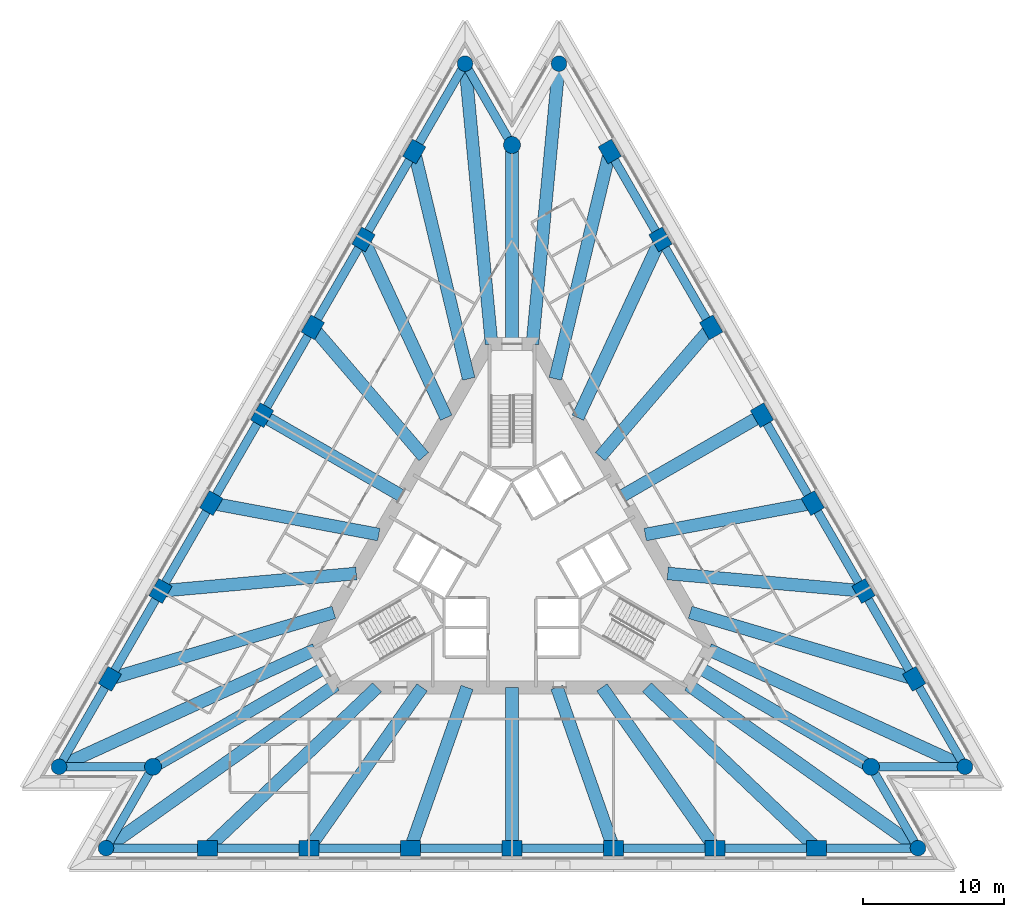
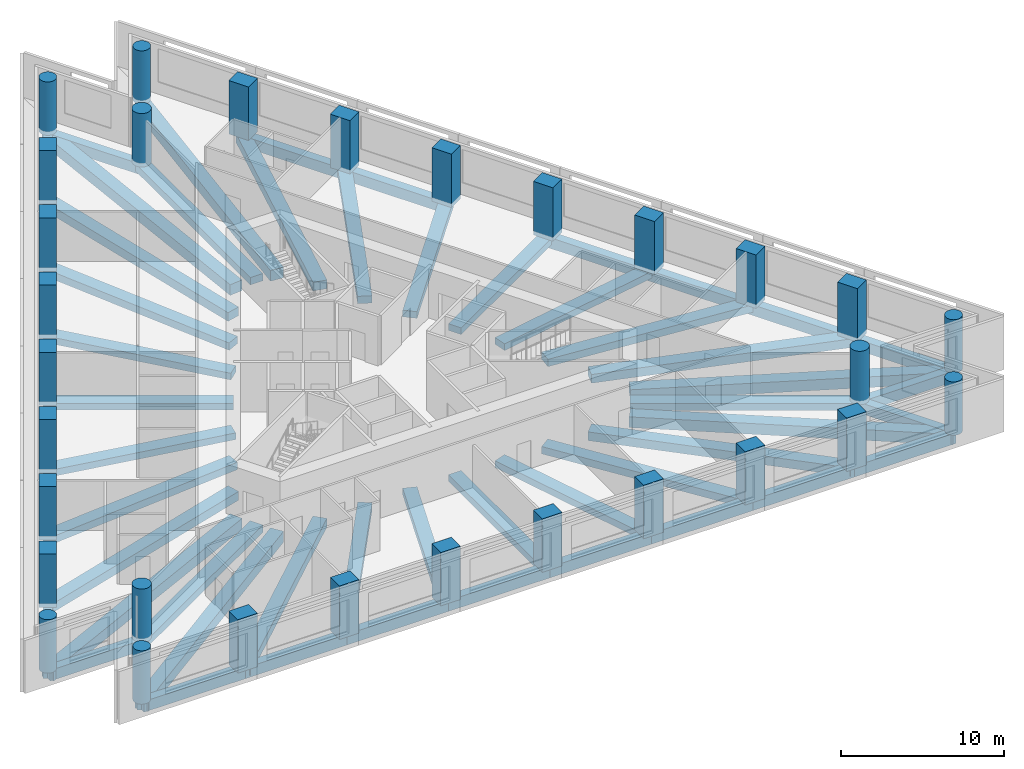
# One storey, part 1 of 11: 57 beams, 30 columns.
"""IFC4 building model written with IfcOpenShell, lengths in metres."""

from ifc_helpers import new_model, si_unit, direction, frame, origin, origin_2d, place, context, subcontext, project, spatial, rectangle, circle, extrude, material, material_profile, profile_set, type_object, element, save


model = new_model("IFC4")

# Units and contexts
model_context = context("Model", 3, precision=1e-05, world=origin(), true_north=direction((0.0, 1.0)))
body_context = subcontext(model_context, "Body", "Model", "MODEL_VIEW")
ifc_project = project(units=[si_unit("LENGTHUNIT", "METRE"), si_unit("AREAUNIT", "SQUARE_METRE"), si_unit("VOLUMEUNIT", "CUBIC_METRE"), si_unit("PLANEANGLEUNIT", "RADIAN"), si_unit("MASSUNIT", "GRAM", prefix="KILO")], contexts=[model_context])

# Site, building, storey
site_placement = place(None, origin())
site = spatial("IfcSite", under=ifc_project, at=site_placement, CompositionType="ELEMENT")
building_placement = place(site_placement, origin())
building = spatial("IfcBuilding", under=site, at=building_placement, Name="Triada Interchange Tower", CompositionType="ELEMENT")
storey_placement = place(building_placement, frame((0.0, 0.0, 91.300048828125)))
storey = spatial("IfcBuildingStorey", under=building, at=storey_placement, Name="L20", CompositionType="ELEMENT", Elevation=91.300048828125)

# Columns
ifc_material_1 = material(Name="Concrete C70/85", Category="concrete")
ifc_material_profile_1 = material_profile(ifc_material_1, rectangle(XDim=1.39990234375, YDim=1.10009765625, at=origin_2d()), Name="RC 1400x1100")
ifc_profile_set_1 = profile_set([ifc_material_profile_1], Name="Concrete C70/85")
column_type_1 = type_object("IfcColumnType", Name="Column A face RC 1400x1100", PredefinedType="COLUMN", material=ifc_profile_set_1)
for number, where, z_axis, x_axis, name in (
    (1, (-6.9169921875, 28.8779296875, -0.300048828125), (0.0, 0.0, 1.0), (0.5, 0.866025403784, 0.0), "Column CA02 L20"),
    (2, (-10.508056640625, 22.656982421875, -0.300048828125), (0.0, 0.0, 1.0), (0.5, 0.866025403784, 0.0), "Column CA03 L20"),
    (3, (-14.10009765625, 16.43603515625, -0.300048828125), (0.0, 0.0, 1.0), (0.5, 0.866025403784, 0.0), "Column CA04 L20"),
    (4, (-17.69189453125, 10.214111328125, -0.300048828125), (0.0, 0.0, 1.0), (0.5, 0.866025403784, 0.0), "Column CA05 L20"),
    (5, (-21.283935546875, 3.992919921875, -0.300048828125), (0.0, 0.0, 1.0), (0.5, 0.866025403784, 0.0), "Column CA06 L20"),
    (6, (-24.8759765625, -2.22802734375, -0.300048828125), (0.0, 0.0, 1.0), (0.5, 0.866025403784, 0.0), "Column CA07 L20"),
    (7, (-28.467041015625, -8.448974609375, -0.300048828125), (0.0, 0.0, 1.0), (0.5, 0.866025403784, 0.0), "Column CA08 L20"),
    (8, (-21.550048828125, -20.428955078125, -0.300048828125), (0.0, 0.0, 1.0), (1.0, 0.0, 0.0), "Column CA11 L20"),
    (9, (-14.366943359375, -20.428955078125, -0.300048828125), (0.0, 0.0, 1.0), (1.0, 0.0, 0.0), "Column CA12 L20"),
    (10, (-7.18408203125, -20.428955078125, -0.300048828125), (0.0, 0.0, 1.0), (1.0, 0.0, 0.0), "Column CA13 L20"),
    (11, (0.0, -20.428955078125, -0.300048828125), (0.0, 0.0, 1.0), (1.0, 0.0, 0.0), "Column CA14 L20"),
    (12, (7.18408203125, -20.428955078125, -0.300048828125), (0.0, 0.0, 1.0), (1.0, 0.0, 0.0), "Column CA15 L20"),
    (13, (14.366943359375, -20.428955078125, -0.300048828125), (0.0, 0.0, 1.0), (1.0, 0.0, 0.0), "Column CA16 L20"),
    (14, (21.550048828125, -20.428955078125, -0.300048828125), (0.0, 0.0, 1.0), (1.0, 0.0, 0.0), "Column CA17 L20"),
    (15, (28.467041015625, -8.448974609375, -0.300048828125), (0.0, 0.0, 1.0), (-0.5, 0.866025403784, 0.0), "Column CA20 L20"),
    (16, (24.8759765625, -2.22802734375, -0.300048828125), (0.0, 0.0, 1.0), (-0.5, 0.866025403784, 0.0), "Column CA21 L20"),
    (17, (21.283935546875, 3.992919921875, -0.300048828125), (0.0, 0.0, 1.0), (-0.5, 0.866025403784, 0.0), "Column CA22 L20"),
    (18, (17.69189453125, 10.214111328125, -0.300048828125), (0.0, 0.0, 1.0), (-0.5, 0.866025403784, 0.0), "Column CA23 L20"),
    (19, (14.10009765625, 16.43603515625, -0.300048828125), (0.0, 0.0, 1.0), (-0.5, 0.866025403784, 0.0), "Column CA24 L20"),
    (20, (10.508056640625, 22.656982421875, -0.300048828125), (0.0, 0.0, 1.0), (-0.5, 0.866025403784, 0.0), "Column CA25 L20"),
    (21, (6.9169921875, 28.8779296875, -0.300048828125), (0.0, 0.0, 1.0), (-0.5, 0.866025403784, 0.0), "Column CA26 L20"),
):
    element("IfcColumn", number, at=place(storey_placement, frame(where, z_axis=z_axis, x_axis=x_axis)), inside=storey, type_object=column_type_1, Name=name, PredefinedType="COLUMN", context=body_context, shape_type="SweptSolid", body=[
        extrude(rectangle(XDim=1.39990234375, YDim=1.10009765625, at=origin_2d()), origin(), (0.0, 0.0, 1.0), 4.0),
    ])
ifc_material_profile_2 = material_profile(ifc_material_1, circle(Radius=0.550048828125, at=origin_2d()), Name="RC D1100")
ifc_profile_set_2 = profile_set([ifc_material_profile_2], Name="Concrete C70/85")
column_type_2 = type_object("IfcColumnType", Name="End column A RC D1100", PredefinedType="COLUMN", material=ifc_profile_set_2)
for number, where, z_axis, x_axis, name in (
    (22, (-3.324951171875, 35.09912109375, -0.300048828125), (0.0, 0.0, 1.0), (0.5, 0.866025403784, 0.0), "Column CA01 L20"),
    (23, (-32.05908203125, -14.669921875, -0.300048828125), (0.0, 0.0, 1.0), (0.5, 0.866025403784, 0.0), "Column CA09 L20"),
    (24, (-28.73388671875, -20.428955078125, -0.300048828125), (0.0, 0.0, 1.0), (1.0, 0.0, 0.0), "Column CA10 L20"),
    (25, (28.73388671875, -20.428955078125, -0.300048828125), (0.0, 0.0, 1.0), (1.0, 0.0, 0.0), "Column CA18 L20"),
    (26, (32.05908203125, -14.669921875, -0.300048828125), (0.0, 0.0, 1.0), (-0.5, 0.866025403784, 0.0), "Column CA19 L20"),
    (27, (3.324951171875, 35.09912109375, -0.300048828125), (0.0, 0.0, 1.0), (-0.5, 0.866025403784, 0.0), "Column CA27 L20"),
):
    element("IfcColumn", number, at=place(storey_placement, frame(where, z_axis=z_axis, x_axis=x_axis)), inside=storey, type_object=column_type_2, Name=name, PredefinedType="COLUMN", context=body_context, shape_type="SweptSolid", body=[
        extrude(circle(Radius=0.550048828125, at=origin_2d()), origin(), (0.0, 0.0, 1.0), 4.0),
    ])
ifc_material_profile_3 = material_profile(ifc_material_1, circle(Radius=0.60009765625, at=origin_2d()), Name="RC D1200")
ifc_profile_set_3 = profile_set([ifc_material_profile_3], Name="Concrete C70/85")
column_type_3 = type_object("IfcColumnType", Name="Mega column A RC D1200", PredefinedType="COLUMN", material=ifc_profile_set_3)
for number, where, z_axis, x_axis, name in (
    (28, (0.0, 29.340087890625, -0.300048828125), (0.0, 0.0, 1.0), (1.0, 0.0, 0.0), "Column MA1 L20"),
    (29, (-25.408935546875, -14.669921875, -0.300048828125), (0.0, 0.0, 1.0), (1.0, 0.0, 0.0), "Column MA2 L20"),
    (30, (25.408935546875, -14.669921875, -0.300048828125), (0.0, 0.0, 1.0), (1.0, 0.0, 0.0), "Column MA3 L20"),
):
    element("IfcColumn", number, at=place(storey_placement, frame(where, z_axis=z_axis, x_axis=x_axis)), inside=storey, type_object=column_type_3, Name=name, PredefinedType="COLUMN", context=body_context, shape_type="SweptSolid", body=[
        extrude(circle(Radius=0.60009765625, at=origin_2d()), origin(), (0.0, 0.0, 1.0), 4.0),
    ])

# Beams
ifc_material_2 = material(Name="Concrete C50/60", Category="concrete")
ifc_material_profile_4 = material_profile(ifc_material_2, rectangle(XDim=0.89990234375, YDim=0.5, at=origin_2d()), Name="RC 900x500")
ifc_profile_set_4 = profile_set([ifc_material_profile_4], Name="Concrete C50/60")
beam_type_1 = type_object("IfcBeamType", Name="Radial band beam A RC 900x500", PredefinedType="BEAM", material=ifc_profile_set_4)
beam_1_placement = place(storey_placement, frame((-14.10009765625, 16.43603515625, -0.550048828125), z_axis=(0.651118009222, -0.758976506927, 0.0), x_axis=(0.758976506927, 0.651118009222, 0.0)))
element("IfcBeam", 31, at=beam_1_placement, inside=storey, type_object=beam_type_1, Name="Radial band beam BA04 L20", PredefinedType="BEAM", context=body_context, shape_type="SweptSolid", body=[
    extrude(rectangle(XDim=0.89990234375, YDim=0.5, at=origin_2d()), origin(), (0.0, 0.0, 1.0), 12.062255859375),
])
beam_2_placement = place(storey_placement, frame((-17.69189453125, 10.214111328125, -0.550048828125), z_axis=(0.866025511234, -0.499999813892, 0.0), x_axis=(0.499999813892, 0.866025511234, 0.0)))
element("IfcBeam", 32, at=beam_2_placement, inside=storey, type_object=beam_type_1, Name="Radial band beam BA05 L20", PredefinedType="BEAM", context=body_context, shape_type="SweptSolid", body=[
    extrude(rectangle(XDim=0.89990234375, YDim=0.5, at=origin_2d()), origin(), (0.0, 0.0, 1.0), 11.37841796875),
])
beam_3_placement = place(storey_placement, frame((-21.283935546875, 3.992919921875, -0.550048828125), z_axis=(0.982856143277, -0.184374080669, 0.0), x_axis=(0.184374080669, 0.982856143277, 0.0)))
element("IfcBeam", 33, at=beam_3_placement, inside=storey, type_object=beam_type_1, Name="Radial band beam BA06 L20", PredefinedType="BEAM", context=body_context, shape_type="SweptSolid", body=[
    extrude(rectangle(XDim=0.89990234375, YDim=0.5, at=origin_2d()), origin(), (0.0, 0.0, 1.0), 12.061767578125),
])
beam_4_placement = place(storey_placement, frame((-7.18408203125, -20.428955078125, -0.550048828125), z_axis=(0.33179614562, 0.943351110537, 0.0), x_axis=(-0.943351110537, 0.33179614562, 0.0)))
element("IfcBeam", 34, at=beam_4_placement, inside=storey, type_object=beam_type_1, Name="Radial band beam BA14 L20", PredefinedType="BEAM", context=body_context, shape_type="SweptSolid", body=[
    extrude(rectangle(XDim=0.89990234375, YDim=0.5, at=origin_2d()), origin(), (0.0, 0.0, 1.0), 12.062255859375),
])
beam_5_placement = place(storey_placement, frame((0.0, -20.428955078125, -0.550048828125), z_axis=(0.0, 1.0, 0.0), x_axis=(-1.0, 0.0, 0.0)))
element("IfcBeam", 35, at=beam_5_placement, inside=storey, type_object=beam_type_1, Name="Radial band beam BA15 L20", PredefinedType="BEAM", context=body_context, shape_type="SweptSolid", body=[
    extrude(rectangle(XDim=0.89990234375, YDim=0.5, at=origin_2d()), origin(), (0.0, 0.0, 1.0), 11.37890625),
])
beam_6_placement = place(storey_placement, frame((7.18408203125, -20.428955078125, -0.550048828125), z_axis=(-0.33179614562, 0.943351110537, 0.0), x_axis=(-0.943351110537, -0.33179614562, 0.0)))
element("IfcBeam", 36, at=beam_6_placement, inside=storey, type_object=beam_type_1, Name="Radial band beam BA16 L20", PredefinedType="BEAM", context=body_context, shape_type="SweptSolid", body=[
    extrude(rectangle(XDim=0.89990234375, YDim=0.5, at=origin_2d()), origin(), (0.0, 0.0, 1.0), 12.062255859375),
])
beam_7_placement = place(storey_placement, frame((21.283935546875, 3.992919921875, -0.550048828125), z_axis=(-0.982856143277, -0.184374080669, 0.0), x_axis=(0.184374080669, -0.982856143277, 0.0)))
element("IfcBeam", 37, at=beam_7_placement, inside=storey, type_object=beam_type_1, Name="Radial band beam BA24 L20", PredefinedType="BEAM", context=body_context, shape_type="SweptSolid", body=[
    extrude(rectangle(XDim=0.89990234375, YDim=0.5, at=origin_2d()), origin(), (0.0, 0.0, 1.0), 12.061767578125),
])
beam_8_placement = place(storey_placement, frame((17.69189453125, 10.214111328125, -0.550048828125), z_axis=(-0.866025511234, -0.499999813892, 0.0), x_axis=(0.499999813892, -0.866025511234, 0.0)))
element("IfcBeam", 38, at=beam_8_placement, inside=storey, type_object=beam_type_1, Name="Radial band beam BA25 L20", PredefinedType="BEAM", context=body_context, shape_type="SweptSolid", body=[
    extrude(rectangle(XDim=0.89990234375, YDim=0.5, at=origin_2d()), origin(), (0.0, 0.0, 1.0), 11.37841796875),
])
beam_9_placement = place(storey_placement, frame((14.10009765625, 16.43603515625, -0.550048828125), z_axis=(-0.651118009222, -0.758976506927, 0.0), x_axis=(0.758976506927, -0.651118009222, 0.0)))
element("IfcBeam", 39, at=beam_9_placement, inside=storey, type_object=beam_type_1, Name="Radial band beam BA26 L20", PredefinedType="BEAM", context=body_context, shape_type="SweptSolid", body=[
    extrude(rectangle(XDim=0.89990234375, YDim=0.5, at=origin_2d()), origin(), (0.0, 0.0, 1.0), 12.062255859375),
])
ifc_material_profile_5 = material_profile(ifc_material_2, rectangle(XDim=0.89990234375, YDim=0.550048828125, at=origin_2d()), Name="RC 900x550")
ifc_profile_set_5 = profile_set([ifc_material_profile_5], Name="Concrete C50/60")
beam_type_2 = type_object("IfcBeamType", Name="Radial band beam A RC 900x550", PredefinedType="BEAM", material=ifc_profile_set_5)
beam_10_placement = place(storey_placement, frame((-10.508056640625, 22.656982421875, -0.574951171875), z_axis=(0.420744654852, -0.907179108783, 0.0), x_axis=(0.907179108783, 0.420744654852, 0.0)))
element("IfcBeam", 40, at=beam_10_placement, inside=storey, type_object=beam_type_2, Name="Radial band beam BA03 L20", PredefinedType="BEAM", context=body_context, shape_type="SweptSolid", body=[
    extrude(rectangle(XDim=0.89990234375, YDim=0.550048828125, at=origin_2d()), origin(), (0.0, 0.0, 1.0), 13.9111328125),
])
beam_11_placement = place(storey_placement, frame((-24.8759765625, -2.22802734375, -0.574951171875), z_axis=(0.996013294925, 0.089204912043, 0.0), x_axis=(-0.089204912043, 0.996013294925, 0.0)))
element("IfcBeam", 41, at=beam_11_placement, inside=storey, type_object=beam_type_2, Name="Radial band beam BA07 L20", PredefinedType="BEAM", context=body_context, shape_type="SweptSolid", body=[
    extrude(rectangle(XDim=0.89990234375, YDim=0.550048828125, at=origin_2d()), origin(), (0.0, 0.0, 1.0), 13.911376953125),
])
beam_12_placement = place(storey_placement, frame((-25.408935546875, -14.669921875, -0.574951171875), z_axis=(0.866020820126, 0.500007939045, 0.0), x_axis=(-0.500007939045, 0.866020820126, 0.0)))
element("IfcBeam", 42, at=beam_12_placement, inside=storey, type_object=beam_type_2, Name="Radial band beam BA10 L20", PredefinedType="BEAM", context=body_context, shape_type="SweptSolid", body=[
    extrude(rectangle(XDim=0.89990234375, YDim=0.550048828125, at=origin_2d()), origin(), (0.0, 0.0, 1.0), 14.089599609375),
])
for number, where, z_axis, x_axis, name in (
    (43, (-14.366943359375, -20.428955078125, -0.574951171875), (0.575232535811, 0.817989932545, 0.0), (-0.817989932545, 0.575232535811, 0.0), "Radial band beam BA13 L20"),
    (44, (14.366943359375, -20.428955078125, -0.574951171875), (-0.575232535811, 0.817989932545, 0.0), (-0.817989932545, -0.575232535811, 0.0), "Radial band beam BA17 L20"),
):
    element("IfcBeam", number, at=place(storey_placement, frame(where, z_axis=z_axis, x_axis=x_axis)), inside=storey, type_object=beam_type_2, Name=name, PredefinedType="BEAM", context=body_context, shape_type="SweptSolid", body=[
        extrude(rectangle(XDim=0.89990234375, YDim=0.550048828125, at=origin_2d()), origin(), (0.0, 0.0, 1.0), 13.910888671875),
    ])
beam_13_placement = place(storey_placement, frame((25.408935546875, -14.669921875, -0.574951171875), z_axis=(-0.866020820126, 0.500007939045, 0.0), x_axis=(-0.500007939045, -0.866020820126, 0.0)))
element("IfcBeam", 45, at=beam_13_placement, inside=storey, type_object=beam_type_2, Name="Radial band beam BA20 L20", PredefinedType="BEAM", context=body_context, shape_type="SweptSolid", body=[
    extrude(rectangle(XDim=0.89990234375, YDim=0.550048828125, at=origin_2d()), origin(), (0.0, 0.0, 1.0), 14.089599609375),
])
beam_14_placement = place(storey_placement, frame((24.8759765625, -2.22802734375, -0.574951171875), z_axis=(-0.996013294925, 0.089204912043, 0.0), x_axis=(-0.089204912043, -0.996013294925, 0.0)))
element("IfcBeam", 46, at=beam_14_placement, inside=storey, type_object=beam_type_2, Name="Radial band beam BA23 L20", PredefinedType="BEAM", context=body_context, shape_type="SweptSolid", body=[
    extrude(rectangle(XDim=0.89990234375, YDim=0.550048828125, at=origin_2d()), origin(), (0.0, 0.0, 1.0), 13.911376953125),
])
beam_15_placement = place(storey_placement, frame((10.508056640625, 22.656982421875, -0.574951171875), z_axis=(-0.420744654852, -0.907179108783, 0.0), x_axis=(0.907179108783, -0.420744654852, 0.0)))
element("IfcBeam", 47, at=beam_15_placement, inside=storey, type_object=beam_type_2, Name="Radial band beam BA27 L20", PredefinedType="BEAM", context=body_context, shape_type="SweptSolid", body=[
    extrude(rectangle(XDim=0.89990234375, YDim=0.550048828125, at=origin_2d()), origin(), (0.0, 0.0, 1.0), 13.9111328125),
])
beam_16_placement = place(storey_placement, frame((0.0, 29.340087890625, -0.574951171875), z_axis=(0.0, -1.0, 0.0), x_axis=(1.0, 0.0, 0.0)))
element("IfcBeam", 48, at=beam_16_placement, inside=storey, type_object=beam_type_2, Name="Radial band beam BA30 L20", PredefinedType="BEAM", context=body_context, shape_type="SweptSolid", body=[
    extrude(rectangle(XDim=0.89990234375, YDim=0.550048828125, at=origin_2d()), origin(), (0.0, 0.0, 1.0), 14.090087890625),
])
ifc_material_profile_6 = material_profile(ifc_material_2, rectangle(XDim=0.89990234375, YDim=0.64990234375, at=origin_2d()), Name="RC 900x650")
ifc_profile_set_6 = profile_set([ifc_material_profile_6], Name="Concrete C50/60")
beam_type_3 = type_object("IfcBeamType", Name="Radial band beam A RC 900x650", PredefinedType="BEAM", material=ifc_profile_set_6)
beam_17_placement = place(storey_placement, frame((-6.9169921875, 28.8779296875, -0.625), z_axis=(0.232938621419, -0.972491438858, 0.0), x_axis=(0.972491438858, 0.232938621419, 0.0)))
element("IfcBeam", 49, at=beam_17_placement, inside=storey, type_object=beam_type_3, Name="Radial band beam BA02 L20", PredefinedType="BEAM", context=body_context, shape_type="SweptSolid", body=[
    extrude(rectangle(XDim=0.89990234375, YDim=0.64990234375, at=origin_2d()), origin(), (0.0, 0.0, 1.0), 16.541015625),
])
beam_18_placement = place(storey_placement, frame((-28.467041015625, -8.448974609375, -0.625), z_axis=(0.958666370903, 0.284532580383, 0.0), x_axis=(-0.284532580383, 0.958666370903, 0.0)))
element("IfcBeam", 50, at=beam_18_placement, inside=storey, type_object=beam_type_3, Name="Radial band beam BA08 L20", PredefinedType="BEAM", context=body_context, shape_type="SweptSolid", body=[
    extrude(rectangle(XDim=0.89990234375, YDim=0.64990234375, at=origin_2d()), origin(), (0.0, 0.0, 1.0), 16.53955078125),
])
for number, where, z_axis, x_axis, name in (
    (51, (-21.550048828125, -20.428955078125, -0.625), (0.725719910924, 0.687990269472, 0.0), (-0.687990269472, 0.725719910924, 0.0), "Radial band beam BA12 L20"),
    (52, (21.550048828125, -20.428955078125, -0.625), (-0.725719910924, 0.687990269472, 0.0), (-0.687990269472, -0.725719910924, 0.0), "Radial band beam BA18 L20"),
):
    element("IfcBeam", number, at=place(storey_placement, frame(where, z_axis=z_axis, x_axis=x_axis)), inside=storey, type_object=beam_type_3, Name=name, PredefinedType="BEAM", context=body_context, shape_type="SweptSolid", body=[
        extrude(rectangle(XDim=0.89990234375, YDim=0.64990234375, at=origin_2d()), origin(), (0.0, 0.0, 1.0), 16.539306640625),
    ])
beam_19_placement = place(storey_placement, frame((28.467041015625, -8.448974609375, -0.625), z_axis=(-0.958666370903, 0.284532580383, 0.0), x_axis=(-0.284532580383, -0.958666370903, 0.0)))
element("IfcBeam", 53, at=beam_19_placement, inside=storey, type_object=beam_type_3, Name="Radial band beam BA22 L20", PredefinedType="BEAM", context=body_context, shape_type="SweptSolid", body=[
    extrude(rectangle(XDim=0.89990234375, YDim=0.64990234375, at=origin_2d()), origin(), (0.0, 0.0, 1.0), 16.53955078125),
])
beam_20_placement = place(storey_placement, frame((6.9169921875, 28.8779296875, -0.625), z_axis=(-0.232938621419, -0.972491438858, 0.0), x_axis=(0.972491438858, -0.232938621419, 0.0)))
element("IfcBeam", 54, at=beam_20_placement, inside=storey, type_object=beam_type_3, Name="Radial band beam BA28 L20", PredefinedType="BEAM", context=body_context, shape_type="SweptSolid", body=[
    extrude(rectangle(XDim=0.89990234375, YDim=0.64990234375, at=origin_2d()), origin(), (0.0, 0.0, 1.0), 16.541015625),
])
ifc_material_profile_7 = material_profile(ifc_material_2, rectangle(XDim=0.89990234375, YDim=0.800048828125, at=origin_2d()), Name="RC 900x800")
ifc_profile_set_7 = profile_set([ifc_material_profile_7], Name="Concrete C50/60")
beam_type_4 = type_object("IfcBeamType", Name="Radial band beam A RC 900x800", PredefinedType="BEAM", material=ifc_profile_set_7)
for number, where, z_axis, x_axis, name in (
    (55, (-3.324951171875, 35.09912109375, -0.699951171875), (0.09428669852, -0.995545086112, 0.0), (0.995545086112, 0.09428669852, 0.0), "Radial band beam BA01 L20"),
    (56, (-32.05908203125, -14.669921875, -0.699951171875), (0.909325724629, 0.416084999163, 0.0), (-0.416084999163, 0.909325724629, 0.0), "Radial band beam BA09 L20"),
):
    element("IfcBeam", number, at=place(storey_placement, frame(where, z_axis=z_axis, x_axis=x_axis)), inside=storey, type_object=beam_type_4, Name=name, PredefinedType="BEAM", context=body_context, shape_type="SweptSolid", body=[
        extrude(rectangle(XDim=0.89990234375, YDim=0.800048828125, at=origin_2d()), origin(), (0.0, 0.0, 1.0), 19.93798828125),
    ])
for number, where, z_axis, x_axis, name in (
    (57, (-28.73388671875, -20.428955078125, -0.699951171875), (0.815016363513, 0.579437940772, 0.0), (-0.579437940772, 0.815016363513, 0.0), "Radial band beam BA11 L20"),
    (58, (28.73388671875, -20.428955078125, -0.699951171875), (-0.815016363513, 0.579437940772, 0.0), (-0.579437940772, -0.815016363513, 0.0), "Radial band beam BA19 L20"),
):
    element("IfcBeam", number, at=place(storey_placement, frame(where, z_axis=z_axis, x_axis=x_axis)), inside=storey, type_object=beam_type_4, Name=name, PredefinedType="BEAM", context=body_context, shape_type="SweptSolid", body=[
        extrude(rectangle(XDim=0.89990234375, YDim=0.800048828125, at=origin_2d()), origin(), (0.0, 0.0, 1.0), 19.938232421875),
    ])
for number, where, z_axis, x_axis, name in (
    (59, (32.05908203125, -14.669921875, -0.699951171875), (-0.909325724629, 0.416084999163, 0.0), (-0.416084999163, -0.909325724629, 0.0), "Radial band beam BA21 L20"),
    (60, (3.324951171875, 35.09912109375, -0.699951171875), (-0.09428669852, -0.995545086112, 0.0), (0.995545086112, -0.09428669852, 0.0), "Radial band beam BA29 L20"),
):
    element("IfcBeam", number, at=place(storey_placement, frame(where, z_axis=z_axis, x_axis=x_axis)), inside=storey, type_object=beam_type_4, Name=name, PredefinedType="BEAM", context=body_context, shape_type="SweptSolid", body=[
        extrude(rectangle(XDim=0.89990234375, YDim=0.800048828125, at=origin_2d()), origin(), (0.0, 0.0, 1.0), 19.93798828125),
    ])
ifc_material_profile_8 = material_profile(ifc_material_2, rectangle(XDim=0.60009765625, YDim=0.800048828125, at=origin_2d()), Name="RC 600x800")
ifc_profile_set_8 = profile_set([ifc_material_profile_8], Name="Concrete C50/60")
beam_type_5 = type_object("IfcBeamType", Name="Spandrel beam A RC 600x800", PredefinedType="BEAM", material=ifc_profile_set_8)
beam_21_placement = place(storey_placement, frame((-3.324951171875, 35.09912109375, -0.699951171875), z_axis=(-0.500024480384, -0.866011269567, 0.0), x_axis=(0.866011269567, -0.500024480384, 0.0)))
element("IfcBeam", 61, at=beam_21_placement, inside=storey, type_object=beam_type_5, Name="Spandrel beam EA01 L20", PredefinedType="BEAM", context=body_context, shape_type="SweptSolid", body=[
    extrude(rectangle(XDim=0.60009765625, YDim=0.800048828125, at=origin_2d()), origin(), (0.0, 0.0, 1.0), 7.183837890625),
])
beam_22_placement = place(storey_placement, frame((-6.9169921875, 28.8779296875, -0.699951171875), z_axis=(-0.49993723354, -0.866061638985, 0.0), x_axis=(0.866061638985, -0.49993723354, 0.0)))
element("IfcBeam", 62, at=beam_22_placement, inside=storey, type_object=beam_type_5, Name="Spandrel beam EA02 L20", PredefinedType="BEAM", context=body_context, shape_type="SweptSolid", body=[
    extrude(rectangle(XDim=0.60009765625, YDim=0.800048828125, at=origin_2d()), origin(), (0.0, 0.0, 1.0), 7.18310546875),
])
beam_23_placement = place(storey_placement, frame((-10.508056640625, 22.656982421875, -0.699951171875), z_axis=(-0.500039197255, -0.866002772056, 0.0), x_axis=(0.866002772056, -0.500039197255, 0.0)))
element("IfcBeam", 63, at=beam_23_placement, inside=storey, type_object=beam_type_5, Name="Spandrel beam EA03 L20", PredefinedType="BEAM", context=body_context, shape_type="SweptSolid", body=[
    extrude(rectangle(XDim=0.60009765625, YDim=0.800048828125, at=origin_2d()), origin(), (0.0, 0.0, 1.0), 7.18359375),
])
beam_24_placement = place(storey_placement, frame((-14.10009765625, 16.43603515625, -0.699951171875), z_axis=(-0.499954846121, -0.866051471819, 0.0), x_axis=(0.866051471819, -0.499954846121, 0.0)))
element("IfcBeam", 64, at=beam_24_placement, inside=storey, type_object=beam_type_5, Name="Spandrel beam EA04 L20", PredefinedType="BEAM", context=body_context, shape_type="SweptSolid", body=[
    extrude(rectangle(XDim=0.60009765625, YDim=0.800048828125, at=origin_2d()), origin(), (0.0, 0.0, 1.0), 7.184326171875),
])
beam_25_placement = place(storey_placement, frame((-17.69189453125, 10.214111328125, -0.699951171875), z_axis=(-0.500024480384, -0.866011269567, 0.0), x_axis=(0.866011269567, -0.500024480384, 0.0)))
element("IfcBeam", 65, at=beam_25_placement, inside=storey, type_object=beam_type_5, Name="Spandrel beam EA05 L20", PredefinedType="BEAM", context=body_context, shape_type="SweptSolid", body=[
    extrude(rectangle(XDim=0.60009765625, YDim=0.800048828125, at=origin_2d()), origin(), (0.0, 0.0, 1.0), 7.183837890625),
])
beam_26_placement = place(storey_placement, frame((-21.283935546875, 3.992919921875, -0.699951171875), z_axis=(-0.500039197255, -0.866002772056, 0.0), x_axis=(0.866002772056, -0.500039197255, 0.0)))
element("IfcBeam", 66, at=beam_26_placement, inside=storey, type_object=beam_type_5, Name="Spandrel beam EA06 L20", PredefinedType="BEAM", context=body_context, shape_type="SweptSolid", body=[
    extrude(rectangle(XDim=0.60009765625, YDim=0.800048828125, at=origin_2d()), origin(), (0.0, 0.0, 1.0), 7.18359375),
])
beam_27_placement = place(storey_placement, frame((-24.8759765625, -2.22802734375, -0.699951171875), z_axis=(-0.49993723354, -0.866061638985, 0.0), x_axis=(0.866061638985, -0.49993723354, 0.0)))
element("IfcBeam", 67, at=beam_27_placement, inside=storey, type_object=beam_type_5, Name="Spandrel beam EA07 L20", PredefinedType="BEAM", context=body_context, shape_type="SweptSolid", body=[
    extrude(rectangle(XDim=0.60009765625, YDim=0.800048828125, at=origin_2d()), origin(), (0.0, 0.0, 1.0), 7.18310546875),
])
beam_28_placement = place(storey_placement, frame((-28.467041015625, -8.448974609375, -0.699951171875), z_axis=(-0.500039197255, -0.866002772056, 0.0), x_axis=(0.866002772056, -0.500039197255, 0.0)))
element("IfcBeam", 68, at=beam_28_placement, inside=storey, type_object=beam_type_5, Name="Spandrel beam EA08 L20", PredefinedType="BEAM", context=body_context, shape_type="SweptSolid", body=[
    extrude(rectangle(XDim=0.60009765625, YDim=0.800048828125, at=origin_2d()), origin(), (0.0, 0.0, 1.0), 7.18359375),
])
beam_29_placement = place(storey_placement, frame((-32.05908203125, -14.669921875, -0.699951171875), z_axis=(1.0, 0.0, 0.0), x_axis=(0.0, 1.0, 0.0)))
element("IfcBeam", 69, at=beam_29_placement, inside=storey, type_object=beam_type_5, Name="Spandrel beam EA09 L20", PredefinedType="BEAM", context=body_context, shape_type="SweptSolid", body=[
    extrude(rectangle(XDim=0.60009765625, YDim=0.800048828125, at=origin_2d()), origin(), (0.0, 0.0, 1.0), 6.650146484375),
])
beam_30_placement = place(storey_placement, frame((-25.408935546875, -14.669921875, -0.699951171875), z_axis=(-0.49999681972, -0.866027239912, 0.0), x_axis=(0.866027239912, -0.49999681972, 0.0)))
element("IfcBeam", 70, at=beam_30_placement, inside=storey, type_object=beam_type_5, Name="Spandrel beam EA10 L20", PredefinedType="BEAM", context=body_context, shape_type="SweptSolid", body=[
    extrude(rectangle(XDim=0.60009765625, YDim=0.800048828125, at=origin_2d()), origin(), (0.0, 0.0, 1.0), 6.64990234375),
])
beam_31_placement = place(storey_placement, frame((-28.73388671875, -20.428955078125, -0.699951171875), z_axis=(1.0, 0.0, 0.0), x_axis=(0.0, 1.0, 0.0)))
element("IfcBeam", 71, at=beam_31_placement, inside=storey, type_object=beam_type_5, Name="Spandrel beam EA11 L20", PredefinedType="BEAM", context=body_context, shape_type="SweptSolid", body=[
    extrude(rectangle(XDim=0.60009765625, YDim=0.800048828125, at=origin_2d()), origin(), (0.0, 0.0, 1.0), 7.183837890625),
])
beam_32_placement = place(storey_placement, frame((-21.550048828125, -20.428955078125, -0.699951171875), z_axis=(1.0, 0.0, 0.0), x_axis=(0.0, 1.0, 0.0)))
element("IfcBeam", 72, at=beam_32_placement, inside=storey, type_object=beam_type_5, Name="Spandrel beam EA12 L20", PredefinedType="BEAM", context=body_context, shape_type="SweptSolid", body=[
    extrude(rectangle(XDim=0.60009765625, YDim=0.800048828125, at=origin_2d()), origin(), (0.0, 0.0, 1.0), 7.18310546875),
])
beam_33_placement = place(storey_placement, frame((-14.366943359375, -20.428955078125, -0.699951171875), z_axis=(1.0, 0.0, 0.0), x_axis=(0.0, 1.0, 0.0)))
element("IfcBeam", 73, at=beam_33_placement, inside=storey, type_object=beam_type_5, Name="Spandrel beam EA13 L20", PredefinedType="BEAM", context=body_context, shape_type="SweptSolid", body=[
    extrude(rectangle(XDim=0.60009765625, YDim=0.800048828125, at=origin_2d()), origin(), (0.0, 0.0, 1.0), 7.182861328125),
])
for number, where, z_axis, x_axis, name in (
    (74, (-7.18408203125, -20.428955078125, -0.699951171875), (1.0, 0.0, 0.0), (0.0, 1.0, 0.0), "Spandrel beam EA14 L20"),
    (75, (0.0, -20.428955078125, -0.699951171875), (1.0, 0.0, 0.0), (0.0, 1.0, 0.0), "Spandrel beam EA15 L20"),
):
    element("IfcBeam", number, at=place(storey_placement, frame(where, z_axis=z_axis, x_axis=x_axis)), inside=storey, type_object=beam_type_5, Name=name, PredefinedType="BEAM", context=body_context, shape_type="SweptSolid", body=[
        extrude(rectangle(XDim=0.60009765625, YDim=0.800048828125, at=origin_2d()), origin(), (0.0, 0.0, 1.0), 7.18408203125),
    ])
beam_34_placement = place(storey_placement, frame((7.18408203125, -20.428955078125, -0.699951171875), z_axis=(1.0, 0.0, 0.0), x_axis=(0.0, 1.0, 0.0)))
element("IfcBeam", 76, at=beam_34_placement, inside=storey, type_object=beam_type_5, Name="Spandrel beam EA16 L20", PredefinedType="BEAM", context=body_context, shape_type="SweptSolid", body=[
    extrude(rectangle(XDim=0.60009765625, YDim=0.800048828125, at=origin_2d()), origin(), (0.0, 0.0, 1.0), 7.182861328125),
])
beam_35_placement = place(storey_placement, frame((14.366943359375, -20.428955078125, -0.699951171875), z_axis=(1.0, 0.0, 0.0), x_axis=(0.0, 1.0, 0.0)))
element("IfcBeam", 77, at=beam_35_placement, inside=storey, type_object=beam_type_5, Name="Spandrel beam EA17 L20", PredefinedType="BEAM", context=body_context, shape_type="SweptSolid", body=[
    extrude(rectangle(XDim=0.60009765625, YDim=0.800048828125, at=origin_2d()), origin(), (0.0, 0.0, 1.0), 7.18310546875),
])
beam_36_placement = place(storey_placement, frame((21.550048828125, -20.428955078125, -0.699951171875), z_axis=(1.0, 0.0, 0.0), x_axis=(0.0, 1.0, 0.0)))
element("IfcBeam", 78, at=beam_36_placement, inside=storey, type_object=beam_type_5, Name="Spandrel beam EA18 L20", PredefinedType="BEAM", context=body_context, shape_type="SweptSolid", body=[
    extrude(rectangle(XDim=0.60009765625, YDim=0.800048828125, at=origin_2d()), origin(), (0.0, 0.0, 1.0), 7.183837890625),
])
beam_37_placement = place(storey_placement, frame((28.73388671875, -20.428955078125, -0.699951171875), z_axis=(-0.49999681972, 0.866027239912, 0.0), x_axis=(-0.866027239912, -0.49999681972, 0.0)))
element("IfcBeam", 79, at=beam_37_placement, inside=storey, type_object=beam_type_5, Name="Spandrel beam EA19 L20", PredefinedType="BEAM", context=body_context, shape_type="SweptSolid", body=[
    extrude(rectangle(XDim=0.60009765625, YDim=0.800048828125, at=origin_2d()), origin(), (0.0, 0.0, 1.0), 6.64990234375),
])
beam_38_placement = place(storey_placement, frame((25.408935546875, -14.669921875, -0.699951171875), z_axis=(1.0, 0.0, 0.0), x_axis=(0.0, 1.0, 0.0)))
element("IfcBeam", 80, at=beam_38_placement, inside=storey, type_object=beam_type_5, Name="Spandrel beam EA20 L20", PredefinedType="BEAM", context=body_context, shape_type="SweptSolid", body=[
    extrude(rectangle(XDim=0.60009765625, YDim=0.800048828125, at=origin_2d()), origin(), (0.0, 0.0, 1.0), 6.650146484375),
])
beam_39_placement = place(storey_placement, frame((32.05908203125, -14.669921875, -0.699951171875), z_axis=(-0.500039197255, 0.866002772056, 0.0), x_axis=(-0.866002772056, -0.500039197255, 0.0)))
element("IfcBeam", 81, at=beam_39_placement, inside=storey, type_object=beam_type_5, Name="Spandrel beam EA21 L20", PredefinedType="BEAM", context=body_context, shape_type="SweptSolid", body=[
    extrude(rectangle(XDim=0.60009765625, YDim=0.800048828125, at=origin_2d()), origin(), (0.0, 0.0, 1.0), 7.18359375),
])
beam_40_placement = place(storey_placement, frame((28.467041015625, -8.448974609375, -0.699951171875), z_axis=(-0.49993723354, 0.866061638985, 0.0), x_axis=(-0.866061638985, -0.49993723354, 0.0)))
element("IfcBeam", 82, at=beam_40_placement, inside=storey, type_object=beam_type_5, Name="Spandrel beam EA22 L20", PredefinedType="BEAM", context=body_context, shape_type="SweptSolid", body=[
    extrude(rectangle(XDim=0.60009765625, YDim=0.800048828125, at=origin_2d()), origin(), (0.0, 0.0, 1.0), 7.18310546875),
])
beam_41_placement = place(storey_placement, frame((24.8759765625, -2.22802734375, -0.699951171875), z_axis=(-0.500039197255, 0.866002772056, 0.0), x_axis=(-0.866002772056, -0.500039197255, 0.0)))
element("IfcBeam", 83, at=beam_41_placement, inside=storey, type_object=beam_type_5, Name="Spandrel beam EA23 L20", PredefinedType="BEAM", context=body_context, shape_type="SweptSolid", body=[
    extrude(rectangle(XDim=0.60009765625, YDim=0.800048828125, at=origin_2d()), origin(), (0.0, 0.0, 1.0), 7.18359375),
])
beam_42_placement = place(storey_placement, frame((21.283935546875, 3.992919921875, -0.699951171875), z_axis=(-0.500024480384, 0.866011269567, 0.0), x_axis=(-0.866011269567, -0.500024480384, 0.0)))
element("IfcBeam", 84, at=beam_42_placement, inside=storey, type_object=beam_type_5, Name="Spandrel beam EA24 L20", PredefinedType="BEAM", context=body_context, shape_type="SweptSolid", body=[
    extrude(rectangle(XDim=0.60009765625, YDim=0.800048828125, at=origin_2d()), origin(), (0.0, 0.0, 1.0), 7.183837890625),
])
beam_43_placement = place(storey_placement, frame((14.10009765625, 16.43603515625, -0.699951171875), z_axis=(-0.500039197255, 0.866002772056, 0.0), x_axis=(-0.866002772056, -0.500039197255, 0.0)))
element("IfcBeam", 85, at=beam_43_placement, inside=storey, type_object=beam_type_5, Name="Spandrel beam EA26 L20", PredefinedType="BEAM", context=body_context, shape_type="SweptSolid", body=[
    extrude(rectangle(XDim=0.60009765625, YDim=0.800048828125, at=origin_2d()), origin(), (0.0, 0.0, 1.0), 7.18359375),
])
beam_44_placement = place(storey_placement, frame((10.508056640625, 22.656982421875, -0.699951171875), z_axis=(-0.49993723354, 0.866061638985, 0.0), x_axis=(-0.866061638985, -0.49993723354, 0.0)))
element("IfcBeam", 86, at=beam_44_placement, inside=storey, type_object=beam_type_5, Name="Spandrel beam EA27 L20", PredefinedType="BEAM", context=body_context, shape_type="SweptSolid", body=[
    extrude(rectangle(XDim=0.60009765625, YDim=0.800048828125, at=origin_2d()), origin(), (0.0, 0.0, 1.0), 7.18310546875),
])
beam_45_placement = place(storey_placement, frame((0.0, 29.340087890625, -0.699951171875), z_axis=(-0.49999681972, 0.866027239912, 0.0), x_axis=(-0.866027239912, -0.49999681972, 0.0)))
element("IfcBeam", 87, at=beam_45_placement, inside=storey, type_object=beam_type_5, Name="Spandrel beam EA30 L20", PredefinedType="BEAM", context=body_context, shape_type="SweptSolid", body=[
    extrude(rectangle(XDim=0.60009765625, YDim=0.800048828125, at=origin_2d()), origin(), (0.0, 0.0, 1.0), 6.64990234375),
])

save(model, "model.ifc")
